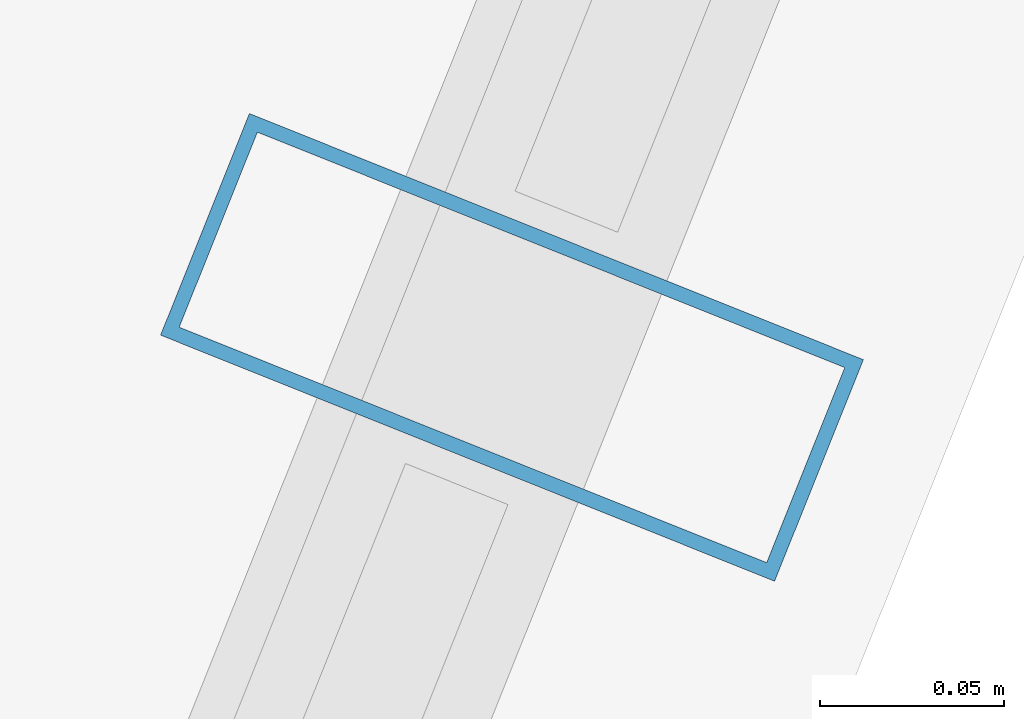
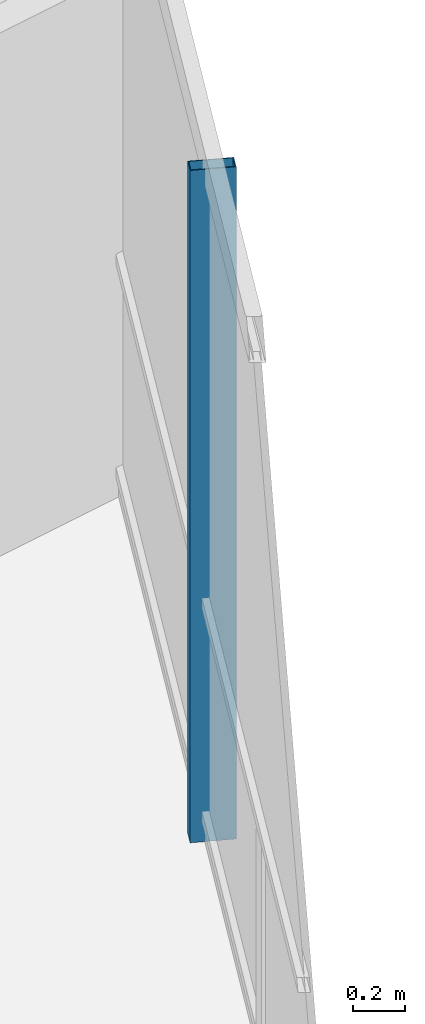
# One storey, part 15 of 29: 1 member, 1 element without a shape of its own.
"""IFC4 building model written with IfcOpenShell, lengths in metres."""

from ifc_helpers import new_model, si_unit, direction, frame, origin, origin_2d, place, context, subcontext, project, spatial, hollow_rectangle, extrude, material, layer, layer_set, material_profile, profile_set, type_object, element, aggregate, save


model = new_model("IFC4")

# Units and contexts
model_context = context("Model", 3, precision=1e-05, world=origin(), true_north=direction((0.0, 1.0)))
body_context = subcontext(model_context, "Body", "Model", "MODEL_VIEW")
ifc_project = project(units=[si_unit("LENGTHUNIT", "METRE"), si_unit("AREAUNIT", "SQUARE_METRE"), si_unit("VOLUMEUNIT", "CUBIC_METRE"), si_unit("PLANEANGLEUNIT", "RADIAN"), si_unit("MASSUNIT", "GRAM", prefix="KILO")], contexts=[model_context])

# Site, building, storey
site_placement = place(None, origin())
site = spatial("IfcSite", under=ifc_project, at=site_placement, CompositionType="ELEMENT")
building_placement = place(site_placement, origin())
building = spatial("IfcBuilding", under=site, at=building_placement, Name="Qarnah Convention Tower", CompositionType="ELEMENT")
storey_placement = place(building_placement, frame((0.0, 0.0, 97.050048828125)))
storey = spatial("IfcBuildingStorey", under=building, at=storey_placement, Name="L25", CompositionType="ELEMENT", Elevation=97.050048828125)

# Curtain wall, member
ifc_material_1 = material(Name="Tempered Low-E dark glass", Category="glass")
ifc_layer = layer(ifc_material_1, 0.169921875)
ifc_layer_set = layer_set([ifc_layer], Name="Tempered Low-E dark glass")
curtain_wall_type = type_object("IfcCurtainWallType", Name="CWS-02", PredefinedType="NOTDEFINED", material=ifc_layer_set)
curtain_wall_placement = place(storey_placement, origin())
curtain_wall = element("IfcCurtainWall", 1, at=curtain_wall_placement, inside=storey, type_object=curtain_wall_type, Name="L25 unitised curtain wall CW-L25-F2", PredefinedType="NOTDEFINED")
ifc_material_2 = material(Name="Black anodised aluminium", Category="aluminium")
ifc_material_profile = material_profile(ifc_material_2, hollow_rectangle(XDim=0.06494140625, YDim=0.179931640625, WallThickness=0.00390625, at=origin_2d()), Name="MUL-65X180")
ifc_profile_set = profile_set([ifc_material_profile], Name="Black anodised aluminium")
member_type = type_object("IfcMemberType", Name="MUL-T2", PredefinedType="MULLION", material=ifc_profile_set)
member_placement = place(storey_placement, frame((58.352294921875, 28.680908203125, 0.0), z_axis=(0.0, 0.0, 1.0), x_axis=(-0.37202844102, -0.928221330865, 0.0)))
member = element("IfcMember", 2, at=member_placement, type_object=member_type, Name="CW-L25-F2 mullion 2", PredefinedType="MULLION", context=body_context, shape_type="SweptSolid", body=[
    extrude(hollow_rectangle(XDim=0.06494140625, YDim=0.179931640625, WallThickness=0.00390625, at=origin_2d()), origin(), (0.0, 0.0, 1.0), 3.169921875),
])
aggregate(curtain_wall, [member])

save(model, "model.ifc")
